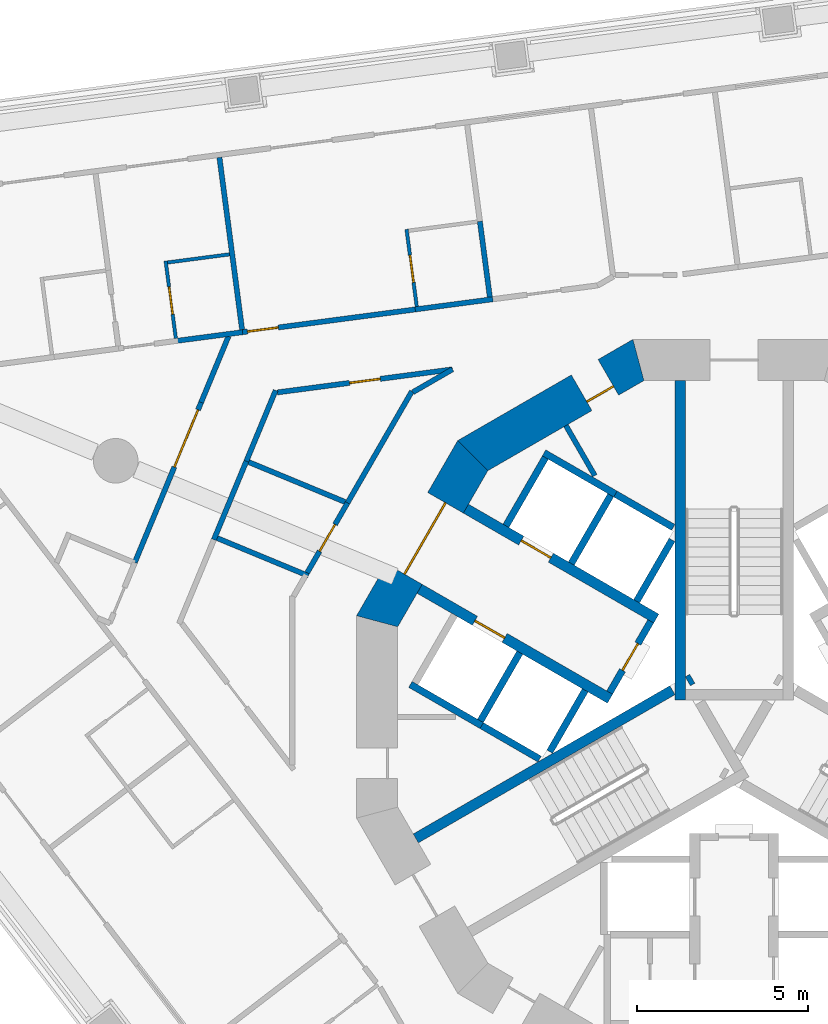
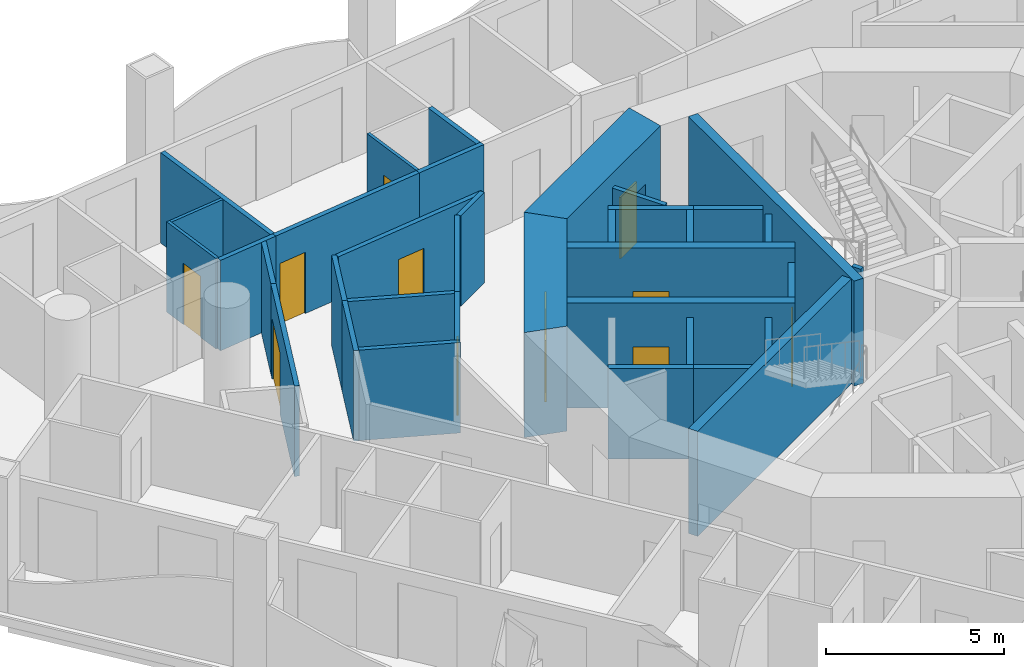
# One storey, part 7 of 19: 36 walls, 11 doors, 11 openings.
"""IFC4 building model written with IfcOpenShell, lengths in metres."""

from ifc_helpers import new_model, si_unit, direction, frame, frame_2d, origin, place, context, subcontext, project, spatial, polyline, rectangle, outline, extrude, material, layer, layer_set, type_object, element, fill, save


model = new_model("IFC4")

# Units and contexts
model_context = context("Model", 3, precision=1e-05, world=origin(), true_north=direction((0.0, 1.0)))
body_context = subcontext(model_context, "Body", "Model", "MODEL_VIEW")
ifc_project = project(units=[si_unit("LENGTHUNIT", "METRE"), si_unit("AREAUNIT", "SQUARE_METRE"), si_unit("VOLUMEUNIT", "CUBIC_METRE"), si_unit("PLANEANGLEUNIT", "RADIAN"), si_unit("MASSUNIT", "GRAM", prefix="KILO")], contexts=[model_context])

# Site, building, storey
site_placement = place(None, origin())
site = spatial("IfcSite", under=ifc_project, at=site_placement, CompositionType="ELEMENT")
building_placement = place(site_placement, origin())
building = spatial("IfcBuilding", under=site, at=building_placement, Name="Trine Commons Tower", CompositionType="ELEMENT")
storey_placement = place(building_placement, frame((0.0, 0.0, 79.199951171875)))
storey = spatial("IfcBuildingStorey", under=building, at=storey_placement, Name="L19", CompositionType="ELEMENT", Elevation=79.199951171875)

# Wall
ifc_material_1 = material(Name="Plasterboard partition on steel studs", Category="steel")
ifc_layer_1 = layer(ifc_material_1, 0.14990234375)
ifc_layer_set_1 = layer_set([ifc_layer_1], Name="Plasterboard partition on steel studs")
wall_type_1 = type_object("IfcWallType", Name="Core room partition 150 mm, EI 60", PredefinedType="PARTITIONING", material=ifc_layer_set_1)
wall_1_placement = place(storey_placement, frame((75.094970703125, 70.9970703125, 0.0), z_axis=(0.0, 0.0, 1.0), x_axis=(0.500115728942, -0.865958577338, 0.0)))
element("IfcWall", 1, at=wall_1_placement, inside=storey, type_object=wall_type_1, Name="Core room partition L19", PredefinedType="PARTITIONING", context=body_context, shape_type="SweptSolid", body=[
    extrude(rectangle(XDim=1.68359375, YDim=0.14990234375, at=frame_2d((0.841796875, 0.0))), origin(), (0.0, 0.0, 1.0), 3.10009765625),
])

# Wall, opening, door
ifc_material_2 = material(Name="Fire-rated gypsum shaft wall system")
ifc_layer_2 = layer(ifc_material_2, 0.199951171875)
ifc_layer_set_2 = layer_set([ifc_layer_2], Name="Fire-rated gypsum shaft wall system")
wall_type_2 = type_object("IfcWallType", Name="Lobby end wall 200 mm, EI 120", PredefinedType="PARTITIONING", material=ifc_layer_set_2)
wall_2_placement = place(storey_placement, frame((77.569091796875, 65.2890625, 0.0), z_axis=(0.0, 0.0, 1.0), x_axis=(-0.50012165622, -0.865955154139, 0.0)))
wall_2 = element("IfcWall", 2, at=wall_2_placement, inside=storey, type_object=wall_type_2, Name="Lobby end wall L19", PredefinedType="PARTITIONING", context=body_context, shape_type="SweptSolid", body=[
    extrude(rectangle(XDim=2.39990234375, YDim=0.199951171875, at=frame_2d((1.199951171875, 0.0))), origin(), (0.0, 0.0, 1.0), 3.10009765625),
])
opening_1_placement = place(wall_2_placement, frame((0.749755859375, 0.0, 0.0)))
opening_1 = element("IfcOpeningElement", 3, at=opening_1_placement, cuts=wall_2, Name="Opening K06.07", PredefinedType="OPENING", context=body_context, shape_type="SweptSolid", body=[
    extrude(rectangle(XDim=0.89990234375, YDim=2.10009765625, at=frame_2d((0.449951171875, 1.050048828125))), frame((0.0, 0.10986328125, 0.0), z_axis=(0.0, -1.0, 0.0), x_axis=(1.0, 0.0, 0.0)), (0.0, 0.0, 1.0), 0.219970703125),
])
ifc_material_3 = material(Name="Steel door leaf, fire-rated", Category="steel")
door_type_1 = type_object("IfcDoorType", Name="Riser access door, single leaf 900 x 2100, FD60", OperationType="SINGLE_SWING_LEFT", PredefinedType="DOOR", material=ifc_material_3)
door_1_placement = place(opening_1_placement, frame((0.89990234375, 0.0, 0.0), z_axis=(0.0, 0.0, 1.0), x_axis=(-1.0, 0.0, 0.0)))
door_1 = element("IfcDoor", 4, at=door_1_placement, inside=storey, type_object=door_type_1, Name="Riser door, Mechanical riser L19", OperationType="SINGLE_SWING_RIGHT", OverallHeight=2.10009765625, OverallWidth=0.89990234375, PredefinedType="DOOR", context=body_context, shape_type="SweptSolid", body=[
    extrude(rectangle(XDim=0.89990234375, YDim=2.10009765625, at=frame_2d((0.449951171875, 1.050048828125))), frame((0.0, 0.02490234375, 0.0), z_axis=(0.0, -1.0, 0.0), x_axis=(1.0, 0.0, 0.0)), (0.0, 0.0, 1.0), 0.050048828125),
])
fill(opening_1, door_1)

ifc_material_4 = material(Name="Concrete C80/95", Category="concrete")
ifc_layer_3 = layer(ifc_material_4, 1.199951171875)
ifc_layer_set_3 = layer_set([ifc_layer_3], Name="Concrete C80/95")
wall_type_3 = type_object("IfcWallType", Name="RC shear wall 1200 mm, C80/95", PredefinedType="SHEAR", material=ifc_layer_set_3)
wall_3_placement = place(storey_placement, frame((77.349609375, 72.991943359375, 0.0), z_axis=(0.0, 0.0, 1.0), x_axis=(-0.866037463336, -0.499979111662, 0.0)))
wall_3 = element("IfcWall", 5, at=wall_3_placement, inside=storey, type_object=wall_type_3, Name="Core wall CWB-05 L19", PredefinedType="SHEAR", context=body_context, shape_type="SweptSolid", body=[
    extrude(outline(polyline([(0.0, -0.60009765625), (5.901123046875, -0.60009765625), (5.57958984375, 0.60009765625), (0.321533203125, 0.60009765625), (0.0, -0.60009765625)])), origin(), (0.0, 0.0, 1.0), 3.60009765625),
])
opening_2_placement = place(wall_3_placement, frame((1.1748046875, 0.0, 0.0)))
opening_2 = element("IfcOpeningElement", 6, at=opening_2_placement, cuts=wall_3, Name="Opening K06.13", PredefinedType="OPENING", context=body_context, shape_type="SweptSolid", body=[
    extrude(rectangle(XDim=0.89990234375, YDim=2.10009765625, at=frame_2d((0.449951171875, 1.050048828125))), frame((0.0, 0.60986328125, 0.0), z_axis=(0.0, -1.0, 0.0), x_axis=(1.0, 0.0, 0.0)), (0.0, 0.0, 1.0), 1.219970703125),
])
door_type_2 = type_object("IfcDoorType", Name="Core room door, single leaf 900 x 2100, FD30S", OperationType="SINGLE_SWING_LEFT", PredefinedType="DOOR", material=ifc_material_3)
door_2_placement = place(opening_2_placement, origin())
door_2 = element("IfcDoor", 7, at=door_2_placement, inside=storey, type_object=door_type_2, Name="Door to Linen store L19", OperationType="SINGLE_SWING_LEFT", OverallHeight=2.10009765625, OverallWidth=0.89990234375, PredefinedType="DOOR", context=body_context, shape_type="SweptSolid", body=[
    extrude(rectangle(XDim=0.89990234375, YDim=2.10009765625, at=frame_2d((0.449951171875, 1.050048828125))), frame((0.0, 0.3251953125, 0.0), z_axis=(0.0, -1.0, 0.0), x_axis=(1.0, 0.0, 0.0)), (0.0, 0.0, 1.0), 0.050048828125),
])
fill(opening_2, door_2)

wall_4_placement = place(storey_placement, frame((72.45849609375, 70.260986328125, 0.0), z_axis=(0.0, 0.0, 1.0), x_axis=(-0.499979111662, -0.866037463336, 0.0)))
wall_4 = element("IfcWall", 8, at=wall_4_placement, inside=storey, type_object=wall_type_3, Name="Core wall CWB-06 L19", PredefinedType="SHEAR", context=body_context, shape_type="SweptSolid", body=[
    extrude(outline(polyline([(0.0, -0.60009765625), (5.901123046875, -0.60009765625), (5.57958984375, 0.60009765625), (0.321533203125, 0.60009765625), (0.0, -0.60009765625)])), origin(), (0.0, 0.0, 1.0), 3.60009765625),
])
opening_3_placement = place(wall_4_placement, frame((1.75048828125, 0.0, 0.0)))
opening_3 = element("IfcOpeningElement", 9, at=opening_3_placement, cuts=wall_4, Name="Opening K06.06", PredefinedType="OPENING", context=body_context, shape_type="SweptSolid", body=[
    extrude(rectangle(XDim=2.39990234375, YDim=2.10009765625, at=frame_2d((1.199951171875, 1.050048828125))), frame((0.0, 0.60986328125, 0.0), z_axis=(0.0, -1.0, 0.0), x_axis=(1.0, 0.0, 0.0)), (0.0, 0.0, 1.0), 1.219970703125),
])
ifc_material_5 = material(Name="Steel door leaves, fire-rated", Category="steel")
door_type_3 = type_object("IfcDoorType", Name="Lobby door, double leaf 2400 x 2100, FD60", OperationType="DOUBLE_DOOR_SINGLE_SWING", PredefinedType="DOOR", material=ifc_material_5)
door_3_placement = place(opening_3_placement, origin())
door_3 = element("IfcDoor", 10, at=door_3_placement, inside=storey, type_object=door_type_3, Name="Lobby door, Passenger lift lobby B L19", OperationType="DOUBLE_DOOR_SINGLE_SWING", OverallHeight=2.10009765625, OverallWidth=2.39990234375, PredefinedType="DOOR", context=body_context, shape_type="SweptSolid", body=[
    extrude(rectangle(XDim=2.39990234375, YDim=2.10009765625, at=frame_2d((1.199951171875, 1.050048828125))), frame((0.0, 0.02490234375, 0.0), z_axis=(0.0, -1.0, 0.0), x_axis=(1.0, 0.0, 0.0)), (0.0, 0.0, 1.0), 0.050048828125),
])
fill(opening_3, door_3)

ifc_layer_4 = layer(ifc_material_4, 0.300048828125)
ifc_layer_set_4 = layer_set([ifc_layer_4], Name="Concrete C80/95")
wall_type_4 = type_object("IfcWallType", Name="RC shear wall 300 mm, C80/95", PredefinedType="SHEAR", material=ifc_layer_set_4)
wall_5_placement = place(storey_placement, frame((76.381103515625, 63.031005859375, 0.0), z_axis=(0.0, 0.0, 1.0), x_axis=(-0.866032150378, 0.499988314375, 0.0)))
wall_5 = element("IfcWall", 11, at=wall_5_placement, inside=storey, type_object=wall_type_4, Name="Core cross wall SWA-01 L19", PredefinedType="SHEAR", context=body_context, shape_type="SweptSolid", body=[
    extrude(rectangle(XDim=6.412353515625, YDim=0.300048828125, at=frame_2d((3.2060546875, 0.0))), origin(), (0.0, 0.0, 1.0), 3.60009765625),
])
opening_4_placement = place(wall_5_placement, frame((3.55029296875, 0.0, 0.0)))
opening_4 = element("IfcOpeningElement", 12, at=opening_4_placement, cuts=wall_5, Name="Opening LD3", PredefinedType="OPENING", context=body_context, shape_type="SweptSolid", body=[
    extrude(rectangle(XDim=1.0, YDim=2.10009765625, at=frame_2d((0.5, 1.050048828125))), frame((0.0, 0.159912109375, 0.0), z_axis=(0.0, -1.0, 0.0), x_axis=(1.0, 0.0, 0.0)), (0.0, 0.0, 1.0), 0.320068359375),
])
ifc_material_6 = material(Name="Stainless steel sliding door leaves", Category="steel")
door_type_4 = type_object("IfcDoorType", Name="Lift landing door, centre-opening sliding 1000 x 2100, FD90", OperationType="DOUBLE_DOOR_SLIDING", PredefinedType="DOOR", material=ifc_material_6)
door_4_placement = place(opening_4_placement, origin())
door_4 = element("IfcDoor", 13, at=door_4_placement, inside=storey, type_object=door_type_4, Name="Lift landing door LR3 L19", OperationType="DOUBLE_DOOR_SLIDING", OverallHeight=2.10009765625, OverallWidth=1.0, PredefinedType="DOOR", context=body_context, shape_type="SweptSolid", body=[
    extrude(rectangle(XDim=1.0, YDim=2.10009765625, at=frame_2d((0.5, 1.050048828125))), frame((0.0, 0.02490234375, 0.0), z_axis=(0.0, -1.0, 0.0), x_axis=(1.0, 0.0, 0.0)), (0.0, 0.0, 1.0), 0.050048828125),
])
fill(opening_4, door_4)

wall_6_placement = place(storey_placement, frame((77.73095703125, 65.368896484375, 0.0), z_axis=(0.0, 0.0, 1.0), x_axis=(-0.866022631842, 0.500004801114, 0.0)))
wall_6 = element("IfcWall", 14, at=wall_6_placement, inside=storey, type_object=wall_type_4, Name="Core cross wall SWA-02 L19", PredefinedType="SHEAR", context=body_context, shape_type="SweptSolid", body=[
    extrude(rectangle(XDim=6.412109375, YDim=0.300048828125, at=frame_2d((3.2060546875, 0.0))), origin(), (0.0, 0.0, 1.0), 3.60009765625),
])
opening_5_placement = place(wall_6_placement, frame((3.55029296875, 0.0, 0.0)))
opening_5 = element("IfcOpeningElement", 15, at=opening_5_placement, cuts=wall_6, Name="Opening LD4", PredefinedType="OPENING", context=body_context, shape_type="SweptSolid", body=[
    extrude(rectangle(XDim=1.0, YDim=2.10009765625, at=frame_2d((0.5, 1.050048828125))), frame((0.0, 0.159912109375, 0.0), z_axis=(0.0, -1.0, 0.0), x_axis=(1.0, 0.0, 0.0)), (0.0, 0.0, 1.0), 0.320068359375),
])
door_5_placement = place(opening_5_placement, origin())
door_5 = element("IfcDoor", 16, at=door_5_placement, inside=storey, type_object=door_type_4, Name="Lift landing door LR4 L19", OperationType="DOUBLE_DOOR_SLIDING", OverallHeight=2.10009765625, OverallWidth=1.0, PredefinedType="DOOR", context=body_context, shape_type="SweptSolid", body=[
    extrude(rectangle(XDim=1.0, YDim=2.10009765625, at=frame_2d((0.5, 1.050048828125))), frame((0.0, 0.02490234375, 0.0), z_axis=(0.0, -1.0, 0.0), x_axis=(1.0, 0.0, 0.0)), (0.0, 0.0, 1.0), 0.050048828125),
])
fill(opening_5, door_5)

# Walls
wall_7_placement = place(storey_placement, frame((78.199951171875, 63.280029296875, 0.0), z_axis=(0.0, 0.0, 1.0), x_axis=(-0.865965399159, -0.500103916661, 0.0)))
element("IfcWall", 17, at=wall_7_placement, inside=storey, type_object=wall_type_4, Name="Core cross wall SWA-07 L19", PredefinedType="SHEAR", context=body_context, shape_type="SweptSolid", body=[
    extrude(rectangle(XDim=8.642333984375, YDim=0.300048828125, at=frame_2d((4.3212890625, 0.0))), origin(), (0.0, 0.0, 1.0), 3.60009765625),
])
wall_8_placement = place(storey_placement, frame((78.425048828125, 63.0009765625, 0.0), z_axis=(0.0, 0.0, 1.0), x_axis=(0.0, 1.0, 0.0)))
element("IfcWall", 18, at=wall_8_placement, inside=storey, type_object=wall_type_4, Name="Core cross wall SWA-08 L19", PredefinedType="SHEAR", context=body_context, shape_type="SweptSolid", body=[
    extrude(rectangle(XDim=9.31103515625, YDim=0.300048828125, at=frame_2d((4.655517578125, 0.0))), origin(), (0.0, 0.0, 1.0), 3.60009765625),
])
wall_9_placement = place(storey_placement, frame((78.779052734375, 63.614013671875, 0.0), z_axis=(0.0, 0.0, 1.0), x_axis=(-0.867737973955, -0.497021939713, 0.0)))
element("IfcWall", 19, at=wall_9_placement, inside=storey, type_object=wall_type_4, Name="Core cross wall SWA-09 L19", PredefinedType="SHEAR", context=body_context, shape_type="SweptSolid", body=[
    extrude(rectangle(XDim=0.14892578125, YDim=0.300048828125, at=frame_2d((0.074462890625, 0.0))), origin(), (0.0, 0.0, 1.0), 3.60009765625),
])
ifc_layer_5 = layer(ifc_material_2, 0.199951171875)
ifc_layer_set_5 = layer_set([ifc_layer_5], Name="Fire-rated gypsum shaft wall system")
wall_type_5 = type_object("IfcWallType", Name="Shaft wall 200 mm, EI 120", PredefinedType="PARTITIONING", material=ifc_layer_set_5)
wall_10_placement = place(storey_placement, frame((72.637939453125, 62.248046875, 0.0), z_axis=(0.0, 0.0, 1.0), x_axis=(-0.866177122335, 0.499737123639, 0.0)))
element("IfcWall", 20, at=wall_10_placement, inside=storey, type_object=wall_type_5, Name="Shaft wall L19", PredefinedType="PARTITIONING", context=body_context, shape_type="SweptSolid", body=[
    extrude(rectangle(XDim=2.401123046875, YDim=0.199951171875, at=frame_2d((1.20068359375, 0.0))), origin(), (0.0, 0.0, 1.0), 3.10009765625),
])
wall_11_placement = place(storey_placement, frame((73.344970703125, 68.073974609375, 0.0), z_axis=(0.0, 0.0, 1.0), x_axis=(0.500215680983, 0.865900844496, 0.0)))
element("IfcWall", 21, at=wall_11_placement, inside=storey, type_object=wall_type_5, Name="Shaft wall L19", PredefinedType="PARTITIONING", context=body_context, shape_type="SweptSolid", body=[
    extrude(rectangle(XDim=2.29931640625, YDim=0.199951171875, at=frame_2d((1.149658203125, 0.0))), origin(), (0.0, 0.0, 1.0), 3.10009765625),
])
wall_12_placement = place(storey_placement, frame((73.7509765625, 64.3759765625, 0.0), z_axis=(0.0, 0.0, 1.0), x_axis=(-0.500136062276, -0.86594683394, 0.0)))
element("IfcWall", 22, at=wall_12_placement, inside=storey, type_object=wall_type_5, Name="Shaft wall L19", PredefinedType="PARTITIONING", context=body_context, shape_type="SweptSolid", body=[
    extrude(rectangle(XDim=2.299072265625, YDim=0.199951171875, at=frame_2d((1.1494140625, 0.0))), origin(), (0.0, 0.0, 1.0), 3.10009765625),
])
wall_13_placement = place(storey_placement, frame((74.324951171875, 61.27294921875, 0.0), z_axis=(0.0, 0.0, 1.0), x_axis=(-0.865780634835, 0.500423712812, 0.0)))
element("IfcWall", 23, at=wall_13_placement, inside=storey, type_object=wall_type_5, Name="Shaft wall L19", PredefinedType="PARTITIONING", context=body_context, shape_type="SweptSolid", body=[
    extrude(rectangle(XDim=1.948486328125, YDim=0.199951171875, at=frame_2d((0.97412109375, 0.0))), origin(), (0.0, 0.0, 1.0), 3.10009765625),
])
wall_14_placement = place(storey_placement, frame((75.2509765625, 66.97412109375, 0.0), z_axis=(0.0, 0.0, 1.0), x_axis=(0.500136062276, 0.86594683394, 0.0)))
element("IfcWall", 24, at=wall_14_placement, inside=storey, type_object=wall_type_5, Name="Shaft wall L19", PredefinedType="PARTITIONING", context=body_context, shape_type="SweptSolid", body=[
    extrude(rectangle(XDim=2.299072265625, YDim=0.199951171875, at=frame_2d((1.1494140625, 0.0))), origin(), (0.0, 0.0, 1.0), 3.10009765625),
])
wall_15_placement = place(storey_placement, frame((75.656005859375, 63.27587890625, 0.0), z_axis=(0.0, 0.0, 1.0), x_axis=(-0.500271688072, -0.86586848777, 0.0)))
element("IfcWall", 25, at=wall_15_placement, inside=storey, type_object=wall_type_5, Name="Shaft wall L19", PredefinedType="PARTITIONING", context=body_context, shape_type="SweptSolid", body=[
    extrude(rectangle(XDim=2.064697265625, YDim=0.199951171875, at=frame_2d((1.0322265625, 0.0))), origin(), (0.0, 0.0, 1.0), 3.10009765625),
])
wall_16_placement = place(storey_placement, frame((76.5380859375, 69.001953125, 0.0), z_axis=(0.0, 0.0, 1.0), x_axis=(-0.866202511239, 0.499693115345, 0.0)))
element("IfcWall", 26, at=wall_16_placement, inside=storey, type_object=wall_type_5, Name="Shaft wall L19", PredefinedType="PARTITIONING", context=body_context, shape_type="SweptSolid", body=[
    extrude(rectangle(XDim=2.4013671875, YDim=0.199951171875, at=frame_2d((1.20068359375, 0.0))), origin(), (0.0, 0.0, 1.0), 3.10009765625),
])
wall_17_placement = place(storey_placement, frame((77.156005859375, 65.8740234375, 0.0), z_axis=(0.0, 0.0, 1.0), x_axis=(0.499865770674, 0.866102887253, 0.0)))
element("IfcWall", 27, at=wall_17_placement, inside=storey, type_object=wall_type_5, Name="Shaft wall L19", PredefinedType="PARTITIONING", context=body_context, shape_type="SweptSolid", body=[
    extrude(rectangle(XDim=2.064453125, YDim=0.199951171875, at=frame_2d((1.0322265625, 0.0))), origin(), (0.0, 0.0, 1.0), 3.10009765625),
])
wall_18_placement = place(storey_placement, frame((78.22509765625, 68.028076171875, 0.0), z_axis=(0.0, 0.0, 1.0), x_axis=(-0.866052014814, 0.499953905513, 0.0)))
element("IfcWall", 28, at=wall_18_placement, inside=storey, type_object=wall_type_5, Name="Shaft wall L19", PredefinedType="PARTITIONING", context=body_context, shape_type="SweptSolid", body=[
    extrude(rectangle(XDim=1.947998046875, YDim=0.199951171875, at=frame_2d((0.97412109375, 0.0))), origin(), (0.0, 0.0, 1.0), 3.10009765625),
])

# Wall, opening, door
ifc_material_7 = material(Name="Gypsum plasterboard on steel stud", Category="steel")
ifc_layer_6 = layer(ifc_material_7, 0.14990234375)
ifc_layer_set_6 = layer_set([ifc_layer_6], Name="Gypsum plasterboard on steel stud")
wall_type_6 = type_object("IfcWallType", Name="Unit and corridor wall 150 mm, EI 60", PredefinedType="PARTITIONING", material=ifc_layer_set_6)
wall_19_placement = place(storey_placement, frame((62.52197265625, 67.007080078125, 0.0), z_axis=(0.0, 0.0, 1.0), x_axis=(0.382650715136, 0.923893083753, 0.0)))
wall_19 = element("IfcWall", 29, at=wall_19_placement, inside=storey, type_object=wall_type_6, Name="Partition 022", PredefinedType="PARTITIONING", context=body_context, shape_type="SweptSolid", body=[
    extrude(rectangle(XDim=5.04931640625, YDim=0.14990234375, at=frame_2d((2.524658203125, 0.0))), origin(), (0.0, 0.0, 1.0), 3.10009765625),
])
opening_6_placement = place(wall_19_placement, frame((3.014404296875, 0.0, 0.0)))
opening_6 = element("IfcOpeningElement", 30, at=opening_6_placement, cuts=wall_19, Name="Opening D-2C03", PredefinedType="OPENING", context=body_context, shape_type="SweptSolid", body=[
    extrude(rectangle(XDim=1.800048828125, YDim=2.10009765625, at=frame_2d((0.89990234375, 1.050048828125))), frame((0.0, 0.0849609375, 0.0), z_axis=(0.0, -1.0, 0.0), x_axis=(1.0, 0.0, 0.0)), (0.0, 0.0, 1.0), 0.169921875),
])
ifc_material_8 = material(Name="Timber fire door set", Category="wood")
door_type_5 = type_object("IfcDoorType", Name="Cluster entrance door 1800 x 2100, double leaf, FD30S", OperationType="DOUBLE_DOOR_DOUBLE_SWING", PredefinedType="DOOR", material=ifc_material_8)
door_6_placement = place(opening_6_placement, origin())
door_6 = element("IfcDoor", 31, at=door_6_placement, inside=storey, type_object=door_type_5, Name="Door D-2C03", OperationType="DOUBLE_DOOR_DOUBLE_SWING", OverallHeight=2.10009765625, OverallWidth=1.800048828125, PredefinedType="DOOR", context=body_context, shape_type="SweptSolid", body=[
    extrude(rectangle(XDim=1.800048828125, YDim=2.10009765625, at=frame_2d((0.89990234375, 1.050048828125))), frame((0.0, 0.02490234375, 0.0), z_axis=(0.0, -1.0, 0.0), x_axis=(1.0, 0.0, 0.0)), (0.0, 0.0, 1.0), 0.050048828125),
])
fill(opening_6, door_6)

# Walls
wall_20_placement = place(storey_placement, frame((63.722900390625, 73.467041015625, 0.0), z_axis=(0.0, 0.0, 1.0), x_axis=(0.991489487772, 0.130186772134, 0.0)))
element("IfcWall", 32, at=wall_20_placement, inside=storey, type_object=wall_type_6, Name="Partition 026", PredefinedType="PARTITIONING", context=body_context, shape_type="SweptSolid", body=[
    extrude(rectangle(XDim=1.957763671875, YDim=0.14990234375, at=frame_2d((0.97900390625, 0.0))), origin(), (0.0, 0.0, 1.0), 3.10009765625),
])
wall_21_placement = place(storey_placement, frame((64.4541015625, 71.672119140625, 0.0), z_axis=(0.0, 0.0, 1.0), x_axis=(0.382922635391, 0.923780415091, 0.0)))
element("IfcWall", 33, at=wall_21_placement, inside=storey, type_object=wall_type_6, Name="Partition 029", PredefinedType="PARTITIONING", context=body_context, shape_type="SweptSolid", body=[
    extrude(rectangle(XDim=2.08984375, YDim=0.14990234375, at=frame_2d((1.044921875, 0.0))), origin(), (0.0, 0.0, 1.0), 3.10009765625),
])
wall_22_placement = place(storey_placement, frame((64.826416015625, 67.671630859375, 0.0), z_axis=(0.0, 0.0, 1.0), x_axis=(0.382785873713, 0.923837093261, 0.0)))
element("IfcWall", 34, at=wall_22_placement, inside=storey, type_object=wall_type_6, Name="Partition 031", PredefinedType="PARTITIONING", context=body_context, shape_type="SweptSolid", body=[
    extrude(rectangle(XDim=2.483642578125, YDim=0.14990234375, at=frame_2d((1.24169921875, 0.0))), origin(), (0.0, 0.0, 1.0), 3.10009765625),
])
wall_23_placement = place(storey_placement, frame((64.92626953125, 67.71533203125, 0.0), z_axis=(0.0, 0.0, 1.0), x_axis=(0.923886418472, -0.382666807761, 0.0)))
element("IfcWall", 35, at=wall_23_placement, inside=storey, type_object=wall_type_6, Name="Partition 032", PredefinedType="PARTITIONING", context=body_context, shape_type="SweptSolid", body=[
    extrude(rectangle(XDim=2.874755859375, YDim=0.14990234375, at=frame_2d((1.4375, 0.0))), origin(), (0.0, 0.0, 1.0), 3.10009765625),
])
wall_24_placement = place(storey_placement, frame((64.9892578125, 78.8173828125, 0.0), z_axis=(0.0, 0.0, 1.0), x_axis=(0.130499406053, -0.991448387471, 0.0)))
element("IfcWall", 36, at=wall_24_placement, inside=storey, type_object=wall_type_6, Name="Partition 033", PredefinedType="PARTITIONING", context=body_context, shape_type="SweptSolid", body=[
    extrude(rectangle(XDim=5.064208984375, YDim=0.14990234375, at=frame_2d((2.5322265625, 0.0))), origin(), (0.0, 0.0, 1.0), 3.10009765625),
])

# Wall, opening, door
wall_25_placement = place(storey_placement, frame((65.656005859375, 73.720947265625, 0.0), z_axis=(0.0, 0.0, 1.0), x_axis=(0.991434260867, 0.130606685815, 0.0)))
wall_25 = element("IfcWall", 37, at=wall_25_placement, inside=storey, type_object=wall_type_6, Name="Partition 034", PredefinedType="PARTITIONING", context=body_context, shape_type="SweptSolid", body=[
    extrude(rectangle(XDim=5.146240234375, YDim=0.14990234375, at=frame_2d((2.5732421875, 0.0))), origin(), (0.0, 0.0, 1.0), 3.10009765625),
])
opening_7_placement = place(wall_25_placement, frame((0.154052734375, 0.0, 0.0)))
opening_7 = element("IfcOpeningElement", 38, at=opening_7_placement, cuts=wall_25, Name="Opening D-2C09", PredefinedType="OPENING", context=body_context, shape_type="SweptSolid", body=[
    extrude(rectangle(XDim=0.89990234375, YDim=2.10009765625, at=frame_2d((0.449951171875, 1.050048828125))), frame((0.0, 0.0849609375, 0.0), z_axis=(0.0, -1.0, 0.0), x_axis=(1.0, 0.0, 0.0)), (0.0, 0.0, 1.0), 0.169921875),
])
door_type_6 = type_object("IfcDoorType", Name="Bedroom door 900 x 2100, FD30S", OperationType="NOTDEFINED", PredefinedType="DOOR", material=ifc_material_8)
door_7_placement = place(opening_7_placement, origin())
door_7 = element("IfcDoor", 39, at=door_7_placement, inside=storey, type_object=door_type_6, Name="Door D-2C09", OperationType="SINGLE_SWING_LEFT", OverallHeight=2.10009765625, OverallWidth=0.89990234375, PredefinedType="DOOR", context=body_context, shape_type="SweptSolid", body=[
    extrude(rectangle(XDim=0.89990234375, YDim=2.10009765625, at=frame_2d((0.449951171875, 1.050048828125))), frame((0.0, 0.02490234375, 0.0), z_axis=(0.0, -1.0, 0.0), x_axis=(1.0, 0.0, 0.0)), (0.0, 0.0, 1.0), 0.050048828125),
])
fill(opening_7, door_7)

# Walls
wall_26_placement = place(storey_placement, frame((65.77392578125, 69.9580078125, 0.0), z_axis=(0.0, 0.0, 1.0), x_axis=(0.382599241046, 0.923914401203, 0.0)))
element("IfcWall", 40, at=wall_26_placement, inside=storey, type_object=wall_type_6, Name="Partition 035", PredefinedType="PARTITIONING", context=body_context, shape_type="SweptSolid", body=[
    extrude(rectangle(XDim=2.236572265625, YDim=0.14990234375, at=frame_2d((1.1181640625, 0.0))), origin(), (0.0, 0.0, 1.0), 3.10009765625),
])
wall_27_placement = place(storey_placement, frame((65.77490234375, 69.9619140625, 0.0), z_axis=(0.0, 0.0, 1.0), x_axis=(0.923918484918, -0.382589379397, 0.0)))
element("IfcWall", 41, at=wall_27_placement, inside=storey, type_object=wall_type_6, Name="Partition 036", PredefinedType="PARTITIONING", context=body_context, shape_type="SweptSolid", body=[
    extrude(rectangle(XDim=3.115966796875, YDim=0.14990234375, at=frame_2d((1.55810546875, 0.0))), origin(), (0.0, 0.0, 1.0), 3.10009765625),
])

# Wall, opening, door
wall_28_placement = place(storey_placement, frame((66.67529296875, 71.96484375, 0.0), z_axis=(0.0, 0.0, 1.0), x_axis=(0.991459293276, 0.130416524172, 0.0)))
wall_28 = element("IfcWall", 42, at=wall_28_placement, inside=storey, type_object=wall_type_6, Name="Partition 037", PredefinedType="PARTITIONING", context=body_context, shape_type="SweptSolid", body=[
    extrude(rectangle(XDim=5.153564453125, YDim=0.14990234375, at=frame_2d((2.57666015625, 0.0))), origin(), (0.0, 0.0, 1.0), 3.10009765625),
])
opening_8_placement = place(wall_28_placement, frame((2.1259765625, 0.0, 0.0)))
opening_8 = element("IfcOpeningElement", 43, at=opening_8_placement, cuts=wall_28, Name="Opening D-2C38", PredefinedType="OPENING", context=body_context, shape_type="SweptSolid", body=[
    extrude(rectangle(XDim=0.89990234375, YDim=2.10009765625, at=frame_2d((0.449951171875, 1.050048828125))), frame((0.0, 0.0849609375, 0.0), z_axis=(0.0, -1.0, 0.0), x_axis=(1.0, 0.0, 0.0)), (0.0, 0.0, 1.0), 0.169921875),
])
door_type_7 = type_object("IfcDoorType", Name="Service door 900 x 2100, FD30S", OperationType="NOTDEFINED", PredefinedType="DOOR", material=ifc_material_8)
door_8_placement = place(opening_8_placement, frame((0.89990234375, 0.0, 0.0), z_axis=(0.0, 0.0, 1.0), x_axis=(-1.0, 0.0, 0.0)))
door_8 = element("IfcDoor", 44, at=door_8_placement, inside=storey, type_object=door_type_7, Name="Door D-2C38", OperationType="SINGLE_SWING_RIGHT", OverallHeight=2.10009765625, OverallWidth=0.89990234375, PredefinedType="DOOR", context=body_context, shape_type="SweptSolid", body=[
    extrude(rectangle(XDim=0.89990234375, YDim=2.10009765625, at=frame_2d((0.449951171875, 1.050048828125))), frame((0.0, 0.02490234375, 0.0), z_axis=(0.0, -1.0, 0.0), x_axis=(1.0, 0.0, 0.0)), (0.0, 0.0, 1.0), 0.050048828125),
])
fill(opening_8, door_8)

wall_29_placement = place(storey_placement, frame((67.547607421875, 66.704833984375, 0.0), z_axis=(0.0, 0.0, 1.0), x_axis=(0.500075472253, 0.865981825474, 0.0)))
wall_29 = element("IfcWall", 45, at=wall_29_placement, inside=storey, type_object=wall_type_6, Name="Partition 041", PredefinedType="PARTITIONING", context=body_context, shape_type="SweptSolid", body=[
    extrude(rectangle(XDim=2.354736328125, YDim=0.14990234375, at=frame_2d((1.17724609375, 0.0))), origin(), (0.0, 0.0, 1.0), 3.10009765625),
])
opening_9_placement = place(wall_29_placement, frame((0.7255859375, 0.0, 0.0)))
opening_9 = element("IfcOpeningElement", 46, at=opening_9_placement, cuts=wall_29, Name="Opening D-2C39", PredefinedType="OPENING", context=body_context, shape_type="SweptSolid", body=[
    extrude(rectangle(XDim=0.89990234375, YDim=2.10009765625, at=frame_2d((0.449951171875, 1.050048828125))), frame((0.0, 0.0849609375, 0.0), z_axis=(0.0, -1.0, 0.0), x_axis=(1.0, 0.0, 0.0)), (0.0, 0.0, 1.0), 0.169921875),
])
door_9_placement = place(opening_9_placement, origin())
door_9 = element("IfcDoor", 47, at=door_9_placement, inside=storey, type_object=door_type_7, Name="Door D-2C39", OperationType="SINGLE_SWING_LEFT", OverallHeight=2.10009765625, OverallWidth=0.89990234375, PredefinedType="DOOR", context=body_context, shape_type="SweptSolid", body=[
    extrude(rectangle(XDim=0.89990234375, YDim=2.10009765625, at=frame_2d((0.449951171875, 1.050048828125))), frame((0.0, 0.02490234375, 0.0), z_axis=(0.0, -1.0, 0.0), x_axis=(1.0, 0.0, 0.0)), (0.0, 0.0, 1.0), 0.050048828125),
])
fill(opening_9, door_9)

# Walls
wall_30_placement = place(storey_placement, frame((68.720947265625, 68.737060546875, 0.0), z_axis=(0.0, 0.0, 1.0), x_axis=(0.499855260579, 0.866108953002, 0.0)))
element("IfcWall", 48, at=wall_30_placement, inside=storey, type_object=wall_type_6, Name="Partition 044", PredefinedType="PARTITIONING", context=body_context, shape_type="SweptSolid", body=[
    extrude(rectangle(XDim=3.76611328125, YDim=0.14990234375, at=frame_2d((1.883056640625, 0.0))), origin(), (0.0, 0.0, 1.0), 3.10009765625),
])
wall_31_placement = place(storey_placement, frame((70.630859375, 71.971435546875, 0.0), z_axis=(0.0, 0.0, 1.0), x_axis=(0.865822790046, 0.500350773195, 0.0)))
element("IfcWall", 49, at=wall_31_placement, inside=storey, type_object=wall_type_6, Name="Partition 051", PredefinedType="PARTITIONING", context=body_context, shape_type="SweptSolid", body=[
    extrude(rectangle(XDim=1.333984375, YDim=0.14990234375, at=frame_2d((0.6669921875, 0.0))), origin(), (0.0, 0.0, 1.0), 3.10009765625),
])
wall_32_placement = place(storey_placement, frame((70.700439453125, 74.385498046875, 0.0), z_axis=(0.0, 0.0, 1.0), x_axis=(0.991421134071, 0.13070629257, 0.0)))
element("IfcWall", 50, at=wall_32_placement, inside=storey, type_object=wall_type_6, Name="Partition 053", PredefinedType="PARTITIONING", context=body_context, shape_type="SweptSolid", body=[
    extrude(rectangle(XDim=2.282470703125, YDim=0.14990234375, at=frame_2d((1.14111328125, 0.0))), origin(), (0.0, 0.0, 1.0), 3.10009765625),
])
wall_33_placement = place(storey_placement, frame((72.5849609375, 76.9541015625, 0.0), z_axis=(0.0, 0.0, 1.0), x_axis=(0.130417626648, -0.991459148255, 0.0)))
element("IfcWall", 51, at=wall_33_placement, inside=storey, type_object=wall_type_6, Name="Partition 057", PredefinedType="PARTITIONING", context=body_context, shape_type="SweptSolid", body=[
    extrude(rectangle(XDim=2.225830078125, YDim=0.14990234375, at=frame_2d((1.11279296875, 0.0))), origin(), (0.0, 0.0, 1.0), 3.10009765625),
])

# Wall, opening, door
ifc_layer_7 = layer(ifc_material_7, 0.10009765625)
ifc_layer_set_7 = layer_set([ifc_layer_7], Name="Gypsum plasterboard on steel stud")
wall_type_7 = type_object("IfcWallType", Name="Unit partition 100 mm, no rating", PredefinedType="PARTITIONING", material=ifc_layer_set_7)
wall_34_placement = place(storey_placement, frame((63.42041015625, 75.797607421875, 0.0), z_axis=(0.0, 0.0, 1.0), x_axis=(0.130518372124, -0.991445890878, 0.0)))
wall_34 = element("IfcWall", 52, at=wall_34_placement, inside=storey, type_object=wall_type_7, Name="Partition 023", PredefinedType="PARTITIONING", context=body_context, shape_type="SweptSolid", body=[
    extrude(rectangle(XDim=2.274658203125, YDim=0.10009765625, at=frame_2d((1.13720703125, 0.0))), origin(), (0.0, 0.0, 1.0), 3.10009765625),
])
opening_10_placement = place(wall_34_placement, frame((0.76220703125, 0.0, 0.0)))
opening_10 = element("IfcOpeningElement", 53, at=opening_10_placement, cuts=wall_34, Name="Opening D-2C43", PredefinedType="OPENING", context=body_context, shape_type="SweptSolid", body=[
    extrude(rectangle(XDim=0.800048828125, YDim=2.10009765625, at=frame_2d((0.39990234375, 1.050048828125))), frame((0.0, 0.06005859375, 0.0), z_axis=(0.0, -1.0, 0.0), x_axis=(1.0, 0.0, 0.0)), (0.0, 0.0, 1.0), 0.1201171875),
])
ifc_material_9 = material(Name="Painted timber", Category="wood")
door_type_8 = type_object("IfcDoorType", Name="Internal door 800 x 2100, NOT RATED", OperationType="NOTDEFINED", PredefinedType="DOOR", material=ifc_material_9)
door_10_placement = place(opening_10_placement, frame((0.800048828125, 0.0, 0.0), z_axis=(0.0, 0.0, 1.0), x_axis=(-1.0, 0.0, 0.0)))
door_10 = element("IfcDoor", 54, at=door_10_placement, inside=storey, type_object=door_type_8, Name="Door D-2C43", OperationType="SINGLE_SWING_LEFT", OverallHeight=2.10009765625, OverallWidth=0.800048828125, PredefinedType="DOOR", context=body_context, shape_type="SweptSolid", body=[
    extrude(rectangle(XDim=0.800048828125, YDim=2.10009765625, at=frame_2d((0.39990234375, 1.050048828125))), frame((0.0, 0.02490234375, 0.0), z_axis=(0.0, -1.0, 0.0), x_axis=(1.0, 0.0, 0.0)), (0.0, 0.0, 1.0), 0.050048828125),
])
fill(opening_10, door_10)

# Wall
wall_35_placement = place(storey_placement, frame((63.4765625, 75.75439453125, 0.0), z_axis=(0.0, 0.0, 1.0), x_axis=(0.991471592706, 0.13032298668, 0.0)))
element("IfcWall", 55, at=wall_35_placement, inside=storey, type_object=wall_type_7, Name="Partition 024", PredefinedType="PARTITIONING", context=body_context, shape_type="SweptSolid", body=[
    extrude(rectangle(XDim=1.82470703125, YDim=0.10009765625, at=frame_2d((0.912353515625, 0.0))), origin(), (0.0, 0.0, 1.0), 3.10009765625),
])

# Wall, opening, door
wall_36_placement = place(storey_placement, frame((70.446533203125, 76.72265625, 0.0), z_axis=(0.0, 0.0, 1.0), x_axis=(0.130820949101, -0.991406011317, 0.0)))
wall_36 = element("IfcWall", 56, at=wall_36_placement, inside=storey, type_object=wall_type_7, Name="Partition 049", PredefinedType="PARTITIONING", context=body_context, shape_type="SweptSolid", body=[
    extrude(rectangle(XDim=2.27490234375, YDim=0.10009765625, at=frame_2d((1.137451171875, 0.0))), origin(), (0.0, 0.0, 1.0), 3.10009765625),
])
opening_11_placement = place(wall_36_placement, frame((0.762451171875, 0.0, 0.0)))
opening_11 = element("IfcOpeningElement", 57, at=opening_11_placement, cuts=wall_36, Name="Opening D-2C44", PredefinedType="OPENING", context=body_context, shape_type="SweptSolid", body=[
    extrude(rectangle(XDim=0.800048828125, YDim=2.10009765625, at=frame_2d((0.39990234375, 1.050048828125))), frame((0.0, 0.06005859375, 0.0), z_axis=(0.0, -1.0, 0.0), x_axis=(1.0, 0.0, 0.0)), (0.0, 0.0, 1.0), 0.1201171875),
])
door_11_placement = place(opening_11_placement, frame((0.800048828125, 0.0, 0.0), z_axis=(0.0, 0.0, 1.0), x_axis=(-1.0, 0.0, 0.0)))
door_11 = element("IfcDoor", 58, at=door_11_placement, inside=storey, type_object=door_type_8, Name="Door D-2C44", OperationType="SINGLE_SWING_LEFT", OverallHeight=2.10009765625, OverallWidth=0.800048828125, PredefinedType="DOOR", context=body_context, shape_type="SweptSolid", body=[
    extrude(rectangle(XDim=0.800048828125, YDim=2.10009765625, at=frame_2d((0.39990234375, 1.050048828125))), frame((0.0, 0.02490234375, 0.0), z_axis=(0.0, -1.0, 0.0), x_axis=(1.0, 0.0, 0.0)), (0.0, 0.0, 1.0), 0.050048828125),
])
fill(opening_11, door_11)

save(model, "model.ifc")
